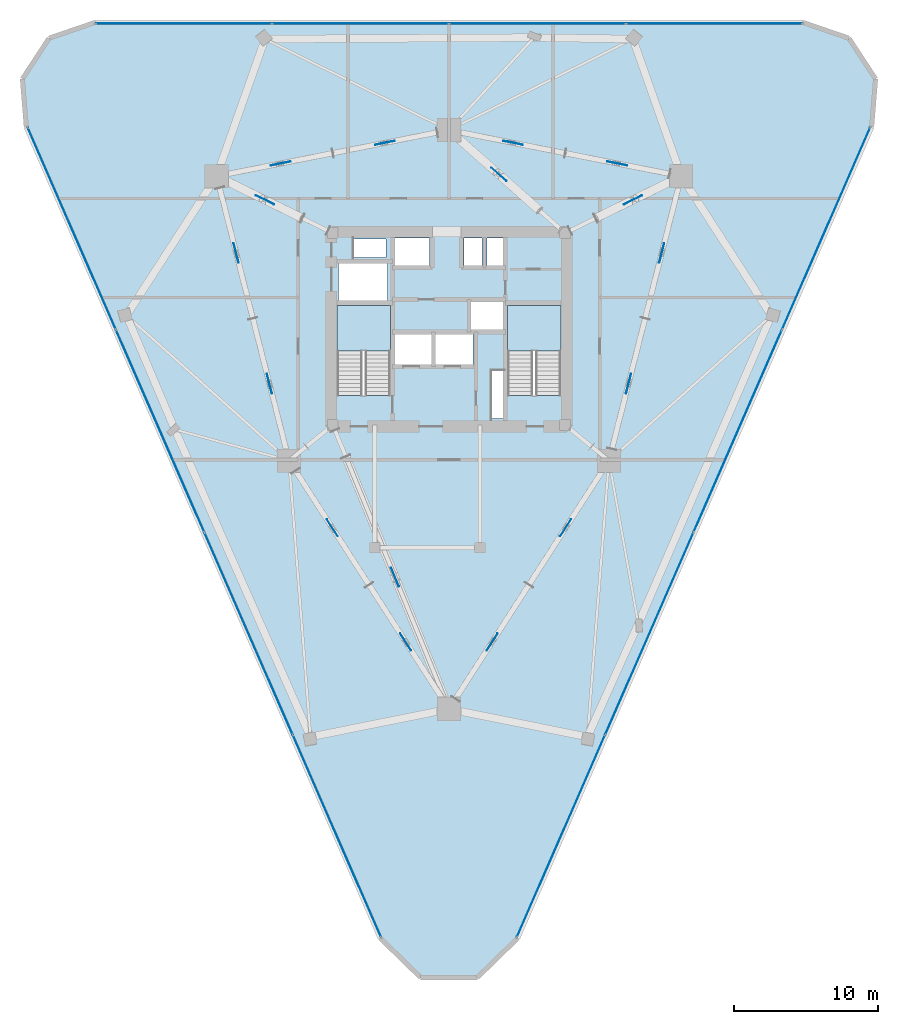
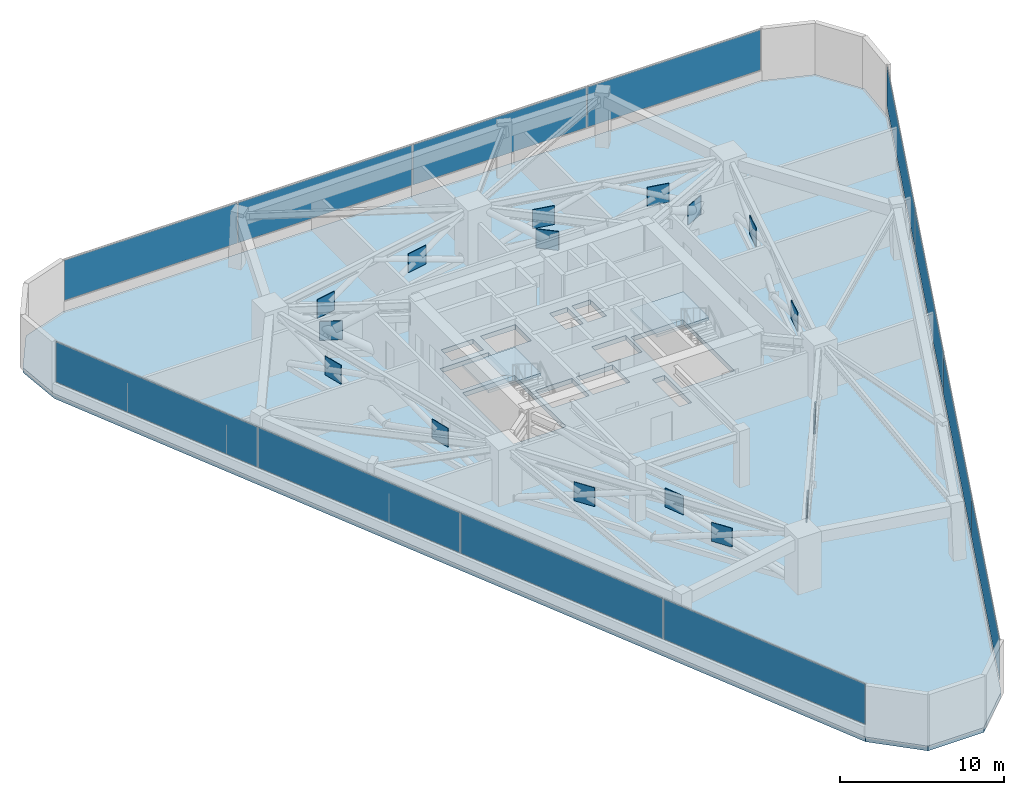
# One storey, part 10 of 14: 28 plates, 3 slabs, 5 elements without a shape of their own.
"""IFC4 building model written with IfcOpenShell, lengths in metres."""

import ifcopenshell
import ifcopenshell.guid

model = None  # the IFC model being written
_history = None  # IfcOwnerHistory: only IFC2X3 demands one
_inside = {}  # id of a spatial element -> (the spatial element, [elements in it])
_under = {}  # id of a project, library or spatial element -> (it, [spatial elements below it])
_declared = {}  # id of a project -> (the project, [libraries it declares])
_typed = {}  # id of a type object -> (the type object, [elements of that type])
_made_of = {}  # id of a material, layer set ... -> (it, [elements and type objects made of it])


def new_model(schema):
    """Start an empty IFC model of exactly this schema.

    Asked for "IFC4X3", IfcOpenShell would pick the latest addendum, in which some entities
    have other attributes; the version numbers below select the first issue.
    IFC2X3 requires an IfcOwnerHistory on every rooted entity: one is made here for all.
    """
    global model, _history
    if schema == "IFC4X3":
        model = ifcopenshell.file(schema_version=(4, 3, 0, 0))
    else:
        model = ifcopenshell.file(schema=schema)
    _inside.clear()
    _under.clear()
    _declared.clear()
    _typed.clear()
    _made_of.clear()
    _history = None
    if model.schema == "IFC2X3":
        org = make("IfcOrganization", Name="unknown")
        user = make(
            "IfcPersonAndOrganization",
            ThePerson=make("IfcPerson", FamilyName="unknown"),
            TheOrganization=org,
        )
        app = make(
            "IfcApplication",
            ApplicationDeveloper=org,
            Version="unknown",
            ApplicationFullName="unknown",
            ApplicationIdentifier="unknown",
        )
        _history = make(
            "IfcOwnerHistory",
            OwningUser=user,
            OwningApplication=app,
            ChangeAction="ADDED",
            CreationDate=0,
        )
    return model


def make(cls, **values):
    """One entity of the class cls with the attributes given. An attribute that is None is left unset."""
    return model.create_entity(
        cls, **{name: value for name, value in values.items() if value is not None}
    )


def rooted(cls, **values):
    """An entity with a GlobalId (a new one), such as an element, a storey or a relation."""
    return make(cls, GlobalId=ifcopenshell.guid.new(), OwnerHistory=_history, **values)


def si_unit(unit_type, name, prefix=None):
    """IfcSIUnit, for example si_unit("LENGTHUNIT", "METRE", prefix="MILLI")."""
    return make("IfcSIUnit", UnitType=unit_type, Prefix=prefix, Name=name)


def assignment(units):
    """IfcUnitAssignment: the units of a project."""
    return None if units is None else make("IfcUnitAssignment", Units=units)


def point(xyz):
    """IfcCartesianPoint."""
    return None if xyz is None else make("IfcCartesianPoint", Coordinates=xyz)


def direction(xyz):
    """IfcDirection."""
    return None if xyz is None else make("IfcDirection", DirectionRatios=xyz)


def frame(location, z_axis=None, x_axis=None):
    """IfcAxis2Placement3D, a coordinate frame: its origin and axes. An axis left out is left unset."""
    return make(
        "IfcAxis2Placement3D",
        Location=point(location),
        Axis=direction(z_axis),
        RefDirection=direction(x_axis),
    )


def frame_2d(location, x_axis=None):
    """IfcAxis2Placement2D, a coordinate frame in the plane: its origin and x axis."""
    return make(
        "IfcAxis2Placement2D", Location=point(location), RefDirection=direction(x_axis)
    )


def origin():
    """The frame at (0, 0, 0) with its axes left unset."""
    return frame((0.0, 0.0, 0.0))


def origin_2d():
    """The frame at (0, 0) in the plane with its x axis left unset."""
    return frame_2d((0.0, 0.0))


def place(relative_to, where):
    """IfcLocalPlacement: puts the frame where relative to a parent placement (None: the world)."""
    return make(
        "IfcLocalPlacement", PlacementRelTo=relative_to, RelativePlacement=where
    )


def context(
    kind, dimensions, precision=None, world=None, true_north=None, identifier=None
):
    """IfcGeometricRepresentationContext, for example the 3D "Model" context."""
    return make(
        "IfcGeometricRepresentationContext",
        ContextIdentifier=identifier,
        ContextType=kind,
        CoordinateSpaceDimension=dimensions,
        Precision=precision,
        WorldCoordinateSystem=world,
        TrueNorth=true_north,
    )


def subcontext(parent, identifier, kind, view, scale=None):
    """IfcGeometricRepresentationSubContext, for example "Body" below "Model"."""
    return make(
        "IfcGeometricRepresentationSubContext",
        ContextIdentifier=identifier,
        ContextType=kind,
        ParentContext=parent,
        TargetScale=scale,
        TargetView=view,
    )


def project(units=None, contexts=None):
    """IfcProject with its units and contexts."""
    return rooted(
        "IfcProject",
        Name="project",
        RepresentationContexts=contexts,
        UnitsInContext=assignment(units),
    )


def spatial(cls, under=None, at=None, **own):
    """A site, building, storey or space (cls), placed at a placement, below another one or the project."""
    s = rooted(cls, ObjectPlacement=at, **own)
    if under is not None:
        _under.setdefault(under.id(), (under, []))[1].append(s)
    return s


def polyline(points):
    """IfcPolyline through the points."""
    return make("IfcPolyline", Points=[point(p) for p in points])


def profile(cls, at=None, kind="AREA", **sizes):
    """A parametric profile (cls). Its sizes go by their IFC names, for example OverallWidth=200.0."""
    return make(cls, ProfileType=kind, Position=at, **sizes)


def rectangle(**sizes):
    """IfcRectangleProfileDef."""
    return profile("IfcRectangleProfileDef", **sizes)


def outline(outer, holes=None, kind="AREA"):
    """IfcArbitraryClosedProfileDef: a profile drawn as a closed curve; with holes, ...WithVoids."""
    if holes is None:
        return make("IfcArbitraryClosedProfileDef", ProfileType=kind, OuterCurve=outer)
    return make(
        "IfcArbitraryProfileDefWithVoids",
        ProfileType=kind,
        OuterCurve=outer,
        InnerCurves=holes,
    )


def extrude(swept, where, along, depth):
    """IfcExtrudedAreaSolid: the profile swept, set in the frame where, extruded along a direction by depth."""
    return make(
        "IfcExtrudedAreaSolid",
        SweptArea=swept,
        Position=where,
        ExtrudedDirection=direction(along),
        Depth=depth,
    )


def shape(context_of_items, identifier, shape_type, items):
    """IfcShapeRepresentation: the items that make up one representation, for example the "Body"."""
    return make(
        "IfcShapeRepresentation",
        ContextOfItems=context_of_items,
        RepresentationIdentifier=identifier,
        RepresentationType=shape_type,
        Items=items,
    )


def material(Name=None, Category=None):
    """IfcMaterial."""
    return make("IfcMaterial", Name=Name, Category=Category)


def layer(
    of_material, thickness, ventilated=None, Name=None, Category=None, Priority=None
):
    """IfcMaterialLayer: one layer of a wall or slab, of a material (None: an air gap)."""
    return make(
        "IfcMaterialLayer",
        Material=of_material,
        LayerThickness=thickness,
        IsVentilated=ventilated,
        Name=Name,
        Category=Category,
        Priority=Priority,
    )


def layer_set(layers, Name=None):
    """IfcMaterialLayerSet."""
    return make("IfcMaterialLayerSet", MaterialLayers=layers, LayerSetName=Name)


def made_of(thing, what):
    """Note that an element or type object is made of a material, layer set ...; save() writes the relation."""
    if what is not None:
        _made_of.setdefault(what.id(), (what, []))[1].append(thing)
    return thing


def type_object(cls, material=None, **own):
    """A type object (cls), such as IfcWallType, which elements share."""
    return made_of(rooted(cls, **own), material)


def element(
    cls,
    number,
    at=None,
    inside=None,
    cuts=None,
    type_object=None,
    material=None,
    context=None,
    identifier="Body",
    shape_type=None,
    held_by="IfcProductDefinitionShape",
    body=None,
    shapes=None,
    **own,
):
    """One element of the class cls, such as IfcWall. Its Tag is "e" and its number.

    at: its placement. inside: the storey or other place that contains it. cuts: it is an
    opening in that element (IfcRelVoidsElement). A single representation is given by context,
    identifier, shape_type and body (its items); several are given by shapes. held_by: the class
    of the entity that holds the representations. save() writes the other relations.
    """
    e = rooted(cls, Tag="e%d" % number, ObjectPlacement=at, **own)
    if body is not None:
        shapes = [shape(context, identifier, shape_type, body)]
    if shapes is not None:
        e.Representation = make(held_by, Representations=shapes)
    if inside is not None:
        _inside.setdefault(inside.id(), (inside, []))[1].append(e)
    if cuts is not None:
        rooted(
            "IfcRelVoidsElement", RelatingBuildingElement=cuts, RelatedOpeningElement=e
        )
    if type_object is not None:
        _typed.setdefault(type_object.id(), (type_object, []))[1].append(e)
    return made_of(e, material)


def aggregate(whole, parts):
    """IfcRelAggregates: a whole, such as a stair, and the parts it consists of."""
    return rooted("IfcRelAggregates", RelatingObject=whole, RelatedObjects=parts)


def save(model, path):
    """Write the relations noted so far, then the file.

    IfcRelAggregates (storeys below a building ...), IfcRelContainedInSpatialStructure (elements
    in a storey), IfcRelDefinesByType, IfcRelAssociatesMaterial and IfcRelDeclares: one each for
    every whole, place, type object, material and project.
    """
    for whole, parts in _under.values():
        aggregate(whole, parts)
    for where, things in _inside.values():
        rooted(
            "IfcRelContainedInSpatialStructure",
            RelatedElements=things,
            RelatingStructure=where,
        )
    for kind, things in _typed.values():
        rooted("IfcRelDefinesByType", RelatedObjects=things, RelatingType=kind)
    for what, things in _made_of.values():
        rooted("IfcRelAssociatesMaterial", RelatedObjects=things, RelatingMaterial=what)
    for by, libraries in _declared.values():
        rooted("IfcRelDeclares", RelatingContext=by, RelatedDefinitions=libraries)
    model.write(path)


model = new_model("IFC4")

# Units and contexts
model_context = context("Model", 3, precision=1e-05, world=origin(), true_north=direction((0.0, 1.0)))
body_context = subcontext(model_context, "Body", "Model", "MODEL_VIEW")
ifc_project = project(units=[si_unit("LENGTHUNIT", "METRE"), si_unit("AREAUNIT", "SQUARE_METRE"), si_unit("VOLUMEUNIT", "CUBIC_METRE"), si_unit("PLANEANGLEUNIT", "RADIAN"), si_unit("MASSUNIT", "GRAM", prefix="KILO")], contexts=[model_context])

# Site, building, storey
site_placement = place(None, origin())
site = spatial("IfcSite", under=ifc_project, at=site_placement, CompositionType="ELEMENT")
building_placement = place(site_placement, origin())
building = spatial("IfcBuilding", under=site, at=building_placement, Name="Talyreon Biosciences Tower", CompositionType="ELEMENT")
storey_placement = place(building_placement, frame((0.0, 0.0, 123.0)))
storey = spatial("IfcBuildingStorey", under=building, at=storey_placement, Name="L32", CompositionType="ELEMENT", Elevation=123.0)

# Curtain wall, plates
ifc_material_1 = material(Name="Thermally broken aluminium and low-E glazing", Category="aluminium")
ifc_layer_1 = layer(ifc_material_1, 0.18994140625)
ifc_layer_set_1 = layer_set([ifc_layer_1], Name="Thermally broken aluminium and low-E glazing")
curtain_wall_type = type_object("IfcCurtainWallType", Name="CurtainWall_Zone2Genomics", PredefinedType="NOTDEFINED", material=ifc_layer_set_1)
curtain_wall_1_placement = place(storey_placement, origin())
curtain_wall_1 = element("IfcCurtainWall", 1, at=curtain_wall_1_placement, inside=storey, type_object=curtain_wall_type, Name="L32 Unitised Curtain Wall FCW-L32-00", PredefinedType="NOTDEFINED")
ifc_material_2 = material(Name="Triple-silver low-E insulated glazing", Category="glass")
ifc_layer_2 = layer(ifc_material_2, 0.031982421875)
ifc_layer_set_2 = layer_set([ifc_layer_2], Name="Triple-silver low-E insulated glazing")
plate_type_1 = type_object("IfcPlateType", Name="CWGlazingPanel_32", PredefinedType="CURTAIN_PANEL", material=ifc_layer_set_2)
plate_1_placement = place(storey_placement, frame((58.235595703125, 32.8623046875, 0.875), z_axis=(0.0, 0.0, 1.0), x_axis=(-0.400058495919, 0.916489607057, 0.0)))
plate_1 = element("IfcPlate", 2, at=plate_1_placement, type_object=plate_type_1, Name="CW3 panel 1.1", PredefinedType="CURTAIN_PANEL", context=body_context, shape_type="SweptSolid", body=[
    extrude(rectangle(XDim=15.227294921875, YDim=0.031982421875, at=origin_2d()), origin(), (0.0, 0.0, 1.0), 2.985107421875),
])
plate_2_placement = place(storey_placement, frame((52.111328125, 46.892333984375, 0.875), z_axis=(0.0, 0.0, 1.0), x_axis=(-0.400058495919, 0.916489607057, 0.0)))
plate_2 = element("IfcPlate", 3, at=plate_2_placement, type_object=plate_type_1, Name="CW3 panel 2.1", PredefinedType="CURTAIN_PANEL", context=body_context, shape_type="SweptSolid", body=[
    extrude(rectangle(XDim=15.259765625, YDim=0.031982421875, at=origin_2d()), origin(), (0.0, 0.0, 1.0), 2.985107421875),
])
plate_3_placement = place(storey_placement, frame((45.980712890625, 60.937255859375, 0.875), z_axis=(0.0, 0.0, 1.0), x_axis=(-0.400058495919, 0.916489607057, 0.0)))
plate_3 = element("IfcPlate", 4, at=plate_3_placement, type_object=plate_type_1, Name="CW3 panel 3.1", PredefinedType="CURTAIN_PANEL", context=body_context, shape_type="SweptSolid", body=[
    extrude(rectangle(XDim=15.259765625, YDim=0.031982421875, at=origin_2d()), origin(), (0.0, 0.0, 1.0), 2.985107421875),
])
plate_4_placement = place(storey_placement, frame((39.8564453125, 74.96728515625, 0.875), z_axis=(0.0, 0.0, 1.0), x_axis=(-0.400058495919, 0.916489607057, 0.0)))
plate_4 = element("IfcPlate", 5, at=plate_4_placement, type_object=plate_type_1, Name="CW3 panel 4.1", PredefinedType="CURTAIN_PANEL", context=body_context, shape_type="SweptSolid", body=[
    extrude(rectangle(XDim=15.227294921875, YDim=0.031982421875, at=origin_2d()), origin(), (0.0, 0.0, 1.0), 2.985107421875),
])
aggregate(curtain_wall_1, [plate_1, plate_2, plate_3, plate_4])

curtain_wall_2_placement = place(storey_placement, origin())
curtain_wall_2 = element("IfcCurtainWall", 6, at=curtain_wall_2_placement, inside=storey, type_object=curtain_wall_type, Name="L32 Unitised Curtain Wall FCW-L32-04", PredefinedType="NOTDEFINED")
plate_5_placement = place(storey_placement, frame((47.6240234375, 89.173095703125, 0.875), z_axis=(0.0, 0.0, 1.0), x_axis=(1.0, 0.0, 0.0)))
plate_5 = element("IfcPlate", 7, at=plate_5_placement, type_object=plate_type_1, Name="CW3 panel 1.1", PredefinedType="CURTAIN_PANEL", context=body_context, shape_type="SweptSolid", body=[
    extrude(rectangle(XDim=12.1640625, YDim=0.031982421875, at=origin_2d()), origin(), (0.0, 0.0, 1.0), 2.985107421875),
])
plate_6_placement = place(storey_placement, frame((59.869140625, 89.173095703125, 0.875), z_axis=(0.0, 0.0, 1.0), x_axis=(1.0, 0.0, 0.0)))
plate_6 = element("IfcPlate", 8, at=plate_6_placement, type_object=plate_type_1, Name="CW3 panel 2.1", PredefinedType="CURTAIN_PANEL", context=body_context, shape_type="SweptSolid", body=[
    extrude(rectangle(XDim=12.196533203125, YDim=0.031982421875, at=origin_2d()), origin(), (0.0, 0.0, 1.0), 2.985107421875),
])
plate_7_placement = place(storey_placement, frame((72.130859375, 89.173095703125, 0.875), z_axis=(0.0, 0.0, 1.0), x_axis=(1.0, 0.0, 0.0)))
plate_7 = element("IfcPlate", 9, at=plate_7_placement, type_object=plate_type_1, Name="CW3 panel 3.1", PredefinedType="CURTAIN_PANEL", context=body_context, shape_type="SweptSolid", body=[
    extrude(rectangle(XDim=12.196533203125, YDim=0.031982421875, at=origin_2d()), origin(), (0.0, 0.0, 1.0), 2.985107421875),
])
plate_8_placement = place(storey_placement, frame((84.3759765625, 89.173095703125, 0.875), z_axis=(0.0, 0.0, 1.0), x_axis=(1.0, 0.0, 0.0)))
plate_8 = element("IfcPlate", 10, at=plate_8_placement, type_object=plate_type_1, Name="CW3 panel 4.1", PredefinedType="CURTAIN_PANEL", context=body_context, shape_type="SweptSolid", body=[
    extrude(rectangle(XDim=12.1640625, YDim=0.031982421875, at=origin_2d()), origin(), (0.0, 0.0, 1.0), 2.985107421875),
])
aggregate(curtain_wall_2, [plate_5, plate_6, plate_7, plate_8])

curtain_wall_3_placement = place(storey_placement, origin())
curtain_wall_3 = element("IfcCurtainWall", 11, at=curtain_wall_3_placement, inside=storey, type_object=curtain_wall_type, Name="L32 Unitised Curtain Wall FCW-L32-08", PredefinedType="NOTDEFINED")
plate_9_placement = place(storey_placement, frame((92.1435546875, 74.96728515625, 0.875), z_axis=(0.0, 0.0, 1.0), x_axis=(-0.400058495919, -0.916489607057, 0.0)))
plate_9 = element("IfcPlate", 12, at=plate_9_placement, type_object=plate_type_1, Name="CW3 panel 1.1", PredefinedType="CURTAIN_PANEL", context=body_context, shape_type="SweptSolid", body=[
    extrude(rectangle(XDim=15.227294921875, YDim=0.031982421875, at=origin_2d()), origin(), (0.0, 0.0, 1.0), 2.985107421875),
])
plate_10_placement = place(storey_placement, frame((86.019287109375, 60.937255859375, 0.875), z_axis=(0.0, 0.0, 1.0), x_axis=(-0.400058495919, -0.916489607057, 0.0)))
plate_10 = element("IfcPlate", 13, at=plate_10_placement, type_object=plate_type_1, Name="CW3 panel 2.1", PredefinedType="CURTAIN_PANEL", context=body_context, shape_type="SweptSolid", body=[
    extrude(rectangle(XDim=15.259765625, YDim=0.031982421875, at=origin_2d()), origin(), (0.0, 0.0, 1.0), 2.985107421875),
])
plate_11_placement = place(storey_placement, frame((79.888671875, 46.892333984375, 0.875), z_axis=(0.0, 0.0, 1.0), x_axis=(-0.400058495919, -0.916489607057, 0.0)))
plate_11 = element("IfcPlate", 14, at=plate_11_placement, type_object=plate_type_1, Name="CW3 panel 3.1", PredefinedType="CURTAIN_PANEL", context=body_context, shape_type="SweptSolid", body=[
    extrude(rectangle(XDim=15.259765625, YDim=0.031982421875, at=origin_2d()), origin(), (0.0, 0.0, 1.0), 2.985107421875),
])
plate_12_placement = place(storey_placement, frame((73.764404296875, 32.8623046875, 0.875), z_axis=(0.0, 0.0, 1.0), x_axis=(-0.400058495919, -0.916489607057, 0.0)))
plate_12 = element("IfcPlate", 15, at=plate_12_placement, type_object=plate_type_1, Name="CW3 panel 4.1", PredefinedType="CURTAIN_PANEL", context=body_context, shape_type="SweptSolid", body=[
    extrude(rectangle(XDim=15.227294921875, YDim=0.031982421875, at=origin_2d()), origin(), (0.0, 0.0, 1.0), 2.985107421875),
])
aggregate(curtain_wall_3, [plate_9, plate_10, plate_11, plate_12])

# Slab
ifc_material_3 = material(Name="Concrete C50/60", Category="concrete")
ifc_layer_3 = layer(ifc_material_3, 0.35009765625)
ifc_layer_set_3 = layer_set([ifc_layer_3], Name="Concrete C50/60")
slab_type_1 = type_object("IfcSlabType", Name="PlantOutriggerSlab_350", PredefinedType="FLOOR", material=ifc_layer_set_3)
slab_1_placement = place(storey_placement, frame((0.0, 0.0, -0.35009765625)))
element("IfcSlab", 16, at=slab_1_placement, inside=storey, type_object=slab_type_1, Name="L32 Structural Floor Slab", PredefinedType="FLOOR", context=body_context, shape_type="SweptSolid", body=[
    extrude(outline(polyline([(61.234375, 25.79296875), (36.711181640625, 81.97265625), (36.4375, 85.335693359375), (38.285400390625, 88.158447265625), (41.476806640625, 89.2529296875), (90.523193359375, 89.2529296875), (93.714599609375, 88.158447265625), (95.5625, 85.335693359375), (95.288818359375, 81.97265625), (70.765625, 25.79296875), (67.959716796875, 23.056640625), (64.040283203125, 23.056640625), (61.234375, 25.79296875)]), holes=[polyline([(61.929931640625, 69.64990234375), (61.929931640625, 63.407958984375), (58.25, 63.407958984375), (58.25, 69.64990234375), (61.929931640625, 69.64990234375)]), polyline([(64.800048828125, 67.64990234375), (64.800048828125, 65.550048828125), (62.199951171875, 65.550048828125), (62.199951171875, 67.64990234375), (64.800048828125, 67.64990234375)]), polyline([(67.64990234375, 67.64990234375), (67.64990234375, 65.550048828125), (65.050048828125, 65.550048828125), (65.050048828125, 67.64990234375), (67.64990234375, 67.64990234375)]), polyline([(61.75, 69.97998046875), (58.35009765625, 69.97998046875), (58.35009765625, 72.550048828125), (61.75, 72.550048828125), (61.75, 69.97998046875)]), polyline([(64.64990234375, 72.35009765625), (62.199951171875, 72.35009765625), (62.199951171875, 74.300048828125), (64.64990234375, 74.300048828125), (64.64990234375, 72.35009765625)]), polyline([(61.64990234375, 74.25), (61.64990234375, 72.9599609375), (59.39990234375, 72.9599609375), (59.39990234375, 74.25), (61.64990234375, 74.25)]), polyline([(69.820068359375, 61.800048828125), (68.9599609375, 61.800048828125), (68.9599609375, 65.10009765625), (69.820068359375, 65.10009765625), (69.820068359375, 61.800048828125)]), polyline([(73.75, 63.407958984375), (70.070068359375, 63.407958984375), (70.070068359375, 69.64990234375), (73.75, 69.64990234375), (73.75, 63.407958984375)]), polyline([(69.89990234375, 69.949951171875), (69.89990234375, 67.949951171875), (67.5, 67.949951171875), (67.5, 69.949951171875), (69.89990234375, 69.949951171875)]), polyline([(68.300048828125, 72.35009765625), (67.050048828125, 72.35009765625), (67.050048828125, 74.300048828125), (68.300048828125, 74.300048828125), (68.300048828125, 72.35009765625)]), polyline([(69.919921875, 72.35009765625), (68.6201171875, 72.35009765625), (68.6201171875, 74.300048828125), (69.919921875, 74.300048828125), (69.919921875, 72.35009765625)])]), origin(), (0.0, 0.0, 1.0), 0.35009765625),
])

# Stair, slab
ifc_material_4 = material(Name="Concrete C40/50", Category="concrete")
stair_type = type_object("IfcStairType", Name="DoglegEscapeStair_4200", PredefinedType="HALF_TURN_STAIR", material=ifc_material_4)
stair_1_placement = place(storey_placement, origin())
stair_1 = element("IfcStair", 17, at=stair_1_placement, inside=storey, type_object=stair_type, Name="L32 Core Escape Stair 1", PredefinedType="HALF_TURN_STAIR")
ifc_layer_4 = layer(ifc_material_4, 0.199951171875)
ifc_layer_set_4 = layer_set([ifc_layer_4], Name="Concrete C40/50")
slab_type_2 = type_object("IfcSlabType", Name="StairLandingSlab_200", PredefinedType="LANDING", material=ifc_layer_set_4)
slab_2_placement = place(storey_placement, frame((0.0, 0.0, 1.89990234375)))
slab_2 = element("IfcSlab", 18, at=slab_2_placement, type_object=slab_type_2, Name="ST-1 landing 1", PredefinedType="LANDING", context=body_context, shape_type="SweptSolid", body=[
    extrude(outline(polyline([(61.929931640625, 66.47998046875), (61.929931640625, 69.64990234375), (58.25, 69.64990234375), (58.25, 66.47998046875), (61.929931640625, 66.47998046875)])), origin(), (0.0, 0.0, 1.0), 0.2001953125),
])
aggregate(stair_1, [slab_2])

stair_2_placement = place(storey_placement, origin())
stair_2 = element("IfcStair", 19, at=stair_2_placement, inside=storey, type_object=stair_type, Name="L32 Core Escape Stair 2", PredefinedType="HALF_TURN_STAIR")
slab_3_placement = place(storey_placement, frame((0.0, 0.0, 1.89990234375)))
slab_3 = element("IfcSlab", 20, at=slab_3_placement, type_object=slab_type_2, Name="ST-2 landing 1", PredefinedType="LANDING", context=body_context, shape_type="SweptSolid", body=[
    extrude(outline(polyline([(73.75, 66.47998046875), (73.75, 69.64990234375), (70.070068359375, 69.64990234375), (70.070068359375, 66.47998046875), (73.75, 66.47998046875)])), origin(), (0.0, 0.0, 1.0), 0.2001953125),
])
aggregate(stair_2, [slab_3])

# Plates
ifc_material_5 = material(Name="Steel SM355", Category="steel")
ifc_layer_5 = layer(ifc_material_5, 0.035888671875)
ifc_layer_set_5 = layer_set([ifc_layer_5], Name="Steel SM355")
plate_type_2 = type_object("IfcPlateType", Name="TrussGussetNodePlate_36", PredefinedType="SHEET", material=ifc_layer_set_5)
for number, where, z_axis, x_axis, name in (
    (21, (62.26171875, 50.807373046875, 1.257568359375), (0.0, 0.0, 1.0), (0.378551692902, -0.925580150933, 0.0), "Truss node plate NP-OUT-L32-R1-X"),
    (22, (78.75634765625, 76.9580078125, 1.257568359375), (0.0, 0.0, 1.0), (0.89785858505, 0.440283955252, 0.0), "Truss node plate NP-OUT-L32-R3-X"),
    (23, (69.458251953125, 78.721923828125, 1.257568359375), (0.0, 0.0, 1.0), (-0.748180360492, 0.663495401773, 0.0), "Truss node plate NP-OUT-L32-R4-X"),
    (24, (53.24365234375, 76.9580078125, 1.257568359375), (0.0, 0.0, 1.0), (-0.89785858505, 0.440283955252, 0.0), "Truss node plate NP-OUT-L32-R5-X"),
    (25, (68.99755859375, 46.3212890625, 1.257568359375), (0.0, 0.0, 1.0), (0.54145878531, 0.840727294555, 0.0), "Truss node plate NP-BELT-L32-B1S1-X"),
    (26, (74.088623046875, 54.22607421875, 1.257568359375), (0.0, 0.0, 1.0), (0.54145878531, 0.840727294555, 0.0), "Truss node plate NP-BELT-L32-B1S2-X"),
    (27, (78.443115234375, 64.214599609375, 1.257568359375), (0.0, 0.0, 1.0), (0.246542347409, 0.969132019352, 0.0), "Truss node plate NP-BELT-L32-B2S1-X"),
    (28, (80.745361328125, 73.264404296875, 1.257568359375), (0.0, 0.0, 1.0), (0.246542347409, 0.969132019352, 0.0), "Truss node plate NP-BELT-L32-B2S2-X"),
    (29, (77.667236328125, 79.477294921875, 1.257568359375), (0.0, 0.0, 1.0), (-0.980934809797, 0.194337075538, 0.0), "Truss node plate NP-BELT-L32-B3S1-X"),
    (30, (70.43505859375, 80.91015625, 1.257568359375), (0.0, 0.0, 1.0), (-0.980934809797, 0.194337075538, 0.0), "Truss node plate NP-BELT-L32-B3S2-X"),
    (31, (61.564697265625, 80.91015625, 1.257568359375), (0.0, 0.0, 1.0), (-0.980934809797, -0.194337075538, 0.0), "Truss node plate NP-BELT-L32-B4S1-X"),
    (32, (54.332763671875, 79.477294921875, 1.257568359375), (0.0, 0.0, 1.0), (-0.980934809797, -0.194337075538, 0.0), "Truss node plate NP-BELT-L32-B4S2-X"),
    (33, (51.254638671875, 73.264404296875, 1.257568359375), (0.0, 0.0, 1.0), (0.246542347409, -0.969132019352, 0.0), "Truss node plate NP-BELT-L32-B5S1-X"),
    (34, (53.556884765625, 64.214599609375, 1.257568359375), (0.0, 0.0, 1.0), (0.246542347409, -0.969132019352, 0.0), "Truss node plate NP-BELT-L32-B5S2-X"),
    (35, (57.911376953125, 54.22607421875, 1.257568359375), (0.0, 0.0, 1.0), (0.54145878531, -0.840727294555, 0.0), "Truss node plate NP-BELT-L32-B6S1-X"),
    (36, (63.00244140625, 46.3212890625, 1.257568359375), (0.0, 0.0, 1.0), (0.54145878531, -0.840727294555, 0.0), "Truss node plate NP-BELT-L32-B6S2-X"),
):
    element("IfcPlate", number, at=place(storey_placement, frame(where, z_axis=z_axis, x_axis=x_axis)), inside=storey, type_object=plate_type_2, Name=name, PredefinedType="SHEET", context=body_context, shape_type="SweptSolid", body=[
        extrude(rectangle(XDim=1.39990234375, YDim=0.035888671875, at=origin_2d()), origin(), (0.0, 0.0, 1.0), 1.39990234375),
    ])

save(model, "model.ifc")
